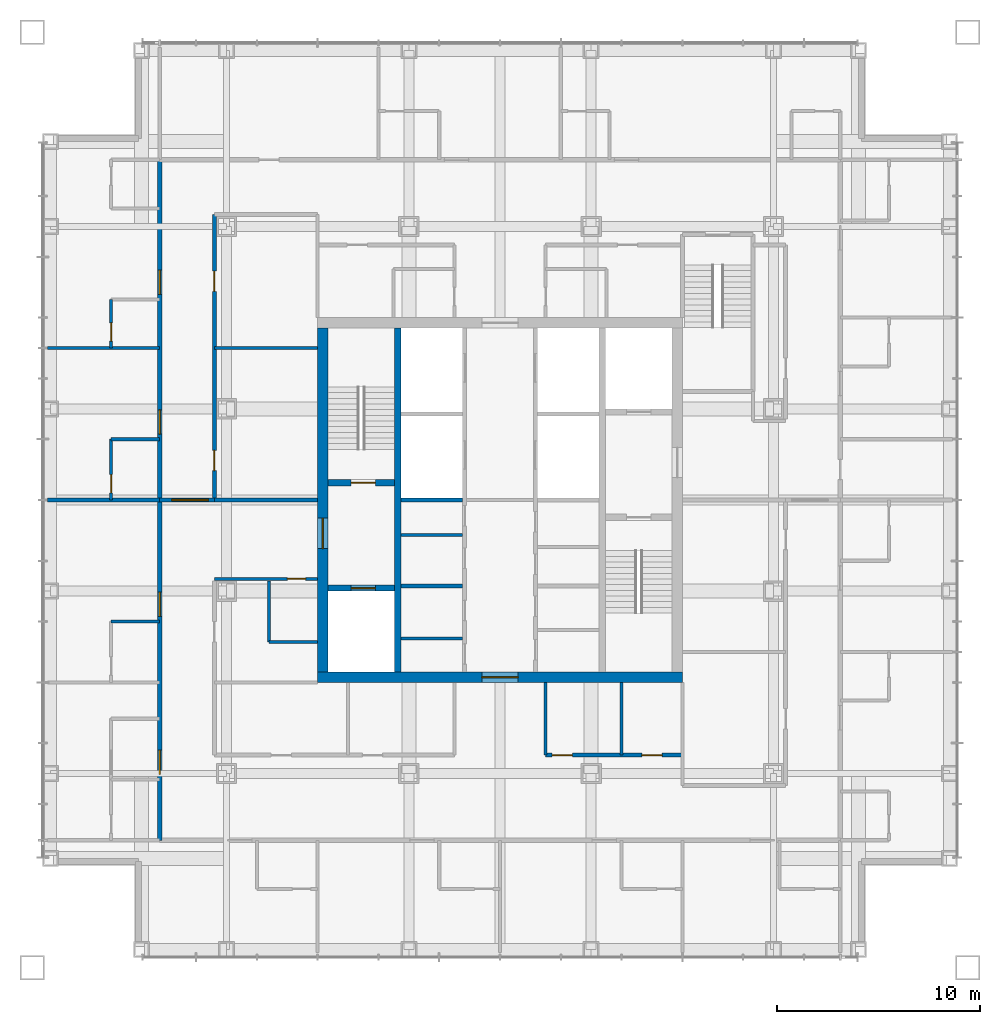
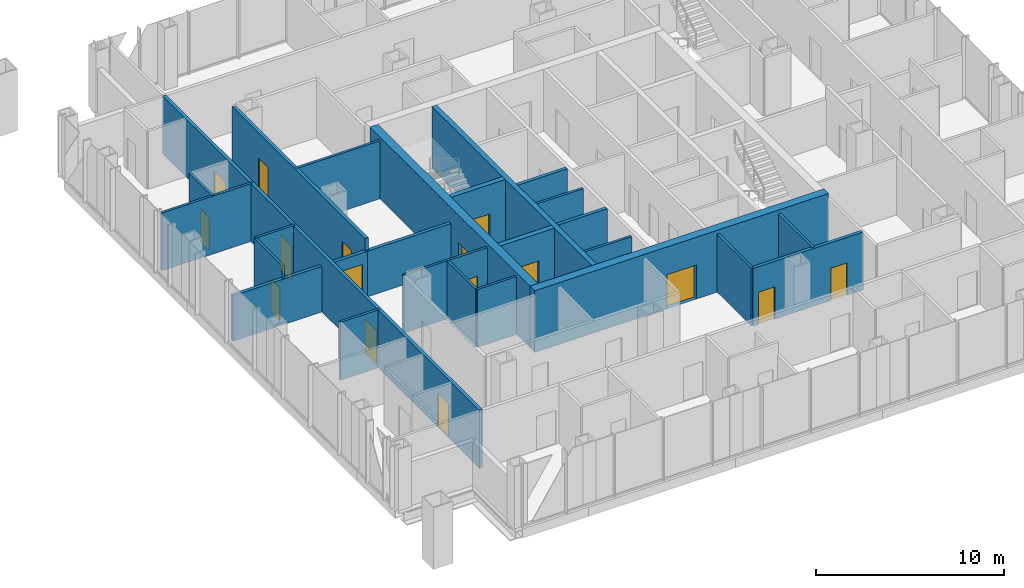
# One storey, part 7 of 15: 26 walls, 16 doors, 16 openings.
"""IFC4 building model written with IfcOpenShell, lengths in metres."""

from ifc_helpers import new_model, si_unit, direction, frame, frame_2d, origin, place, context, subcontext, project, spatial, rectangle, extrude, material, layer, layer_set, type_object, element, fill, save


model = new_model("IFC4")

# Units and contexts
model_context = context("Model", 3, precision=1e-05, world=origin(), true_north=direction((0.0, 1.0)))
body_context = subcontext(model_context, "Body", "Model", "MODEL_VIEW")
ifc_project = project(units=[si_unit("LENGTHUNIT", "METRE"), si_unit("AREAUNIT", "SQUARE_METRE"), si_unit("VOLUMEUNIT", "CUBIC_METRE"), si_unit("PLANEANGLEUNIT", "RADIAN"), si_unit("MASSUNIT", "GRAM", prefix="KILO")], contexts=[model_context])

# Site, building, storey
site_placement = place(None, origin())
site = spatial("IfcSite", under=ifc_project, at=site_placement, CompositionType="ELEMENT")
building_placement = place(site_placement, origin())
building = spatial("IfcBuilding", under=site, at=building_placement, Name="Malebo Sky Hospital", CompositionType="ELEMENT")
storey_placement = place(building_placement, frame((0.0, 0.0, 217.0)))
storey = spatial("IfcBuildingStorey", under=building, at=storey_placement, Name="L52", CompositionType="ELEMENT", Elevation=217.0)

# Walls
ifc_material_1 = material(Name="Concrete C80/95", Category="concrete")
ifc_layer_1 = layer(ifc_material_1, 0.199951171875)
ifc_layer_set_1 = layer_set([ifc_layer_1], Name="CORE INNER WALL 200")
wall_type_1 = type_object("IfcWallType", Name="CORE INNER WALL 200", PredefinedType="SHEAR", material=ifc_layer_set_1)
for number, where, z_axis, x_axis, name in (
    (1, (55.10009765625, 57.75, 0.0), (0.0, 0.0, 1.0), (1.0, 0.0, 0.0), "Core wall SW0 L52"),
    (2, (55.10009765625, 62.0, 0.0), (0.0, 0.0, 1.0), (1.0, 0.0, 0.0), "Core wall SW1 L52"),
):
    element("IfcWall", number, at=place(storey_placement, frame(where, z_axis=z_axis, x_axis=x_axis)), inside=storey, type_object=wall_type_1, Name=name, PredefinedType="SHEAR", context=body_context, shape_type="SweptSolid", body=[
        extrude(rectangle(XDim=3.0498046875, YDim=0.199951171875, at=frame_2d((1.52490234375, 0.0))), origin(), (0.0, 0.0, 1.0), 4.0),
    ])
ifc_layer_2 = layer(ifc_material_1, 0.300048828125)
ifc_layer_set_2 = layer_set([ifc_layer_2], Name="CORE INNER WALL 300")
wall_type_2 = type_object("IfcWallType", Name="CORE INNER WALL 300", PredefinedType="SHEAR", material=ifc_layer_set_2)
wall_1_placement = place(storey_placement, frame((54.949951171875, 53.5, 0.0), z_axis=(0.0, 0.0, 1.0), x_axis=(0.0, 1.0, 0.0)))
element("IfcWall", 3, at=wall_1_placement, inside=storey, type_object=wall_type_2, Name="Core wall XW L52", PredefinedType="SHEAR", context=body_context, shape_type="SweptSolid", body=[
    extrude(rectangle(XDim=17.0, YDim=0.300048828125, at=frame_2d((8.5, 0.0))), origin(), (0.0, 0.0, 1.0), 4.0),
])

# Wall, opening, door
wall_2_placement = place(storey_placement, frame((51.5, 62.85009765625, 0.0), z_axis=(0.0, 0.0, 1.0), x_axis=(1.0, 0.0, 0.0)))
wall_2 = element("IfcWall", 4, at=wall_2_placement, inside=storey, type_object=wall_type_2, Name="Core wall W1 L52", PredefinedType="SHEAR", context=body_context, shape_type="SweptSolid", body=[
    extrude(rectangle(XDim=3.300048828125, YDim=0.300048828125, at=frame_2d((1.64990234375, 0.0))), origin(), (0.0, 0.0, 1.0), 4.0),
])
opening_1_placement = place(wall_2_placement, frame((1.14990234375, 0.0, 0.0)))
opening_1 = element("IfcOpeningElement", 5, at=opening_1_placement, cuts=wall_2, Name="Opening D08", PredefinedType="OPENING", context=body_context, shape_type="SweptSolid", body=[
    extrude(rectangle(XDim=1.199951171875, YDim=2.10009765625, at=frame_2d((0.60009765625, 1.050048828125))), frame((0.0, 0.159912109375, 0.0), z_axis=(0.0, -1.0, 0.0), x_axis=(1.0, 0.0, 0.0)), (0.0, 0.0, 1.0), 0.320068359375),
])
ifc_material_2 = material(Name="Hardwood-faced door leaf in steel frame", Category="steel")
door_type_1 = type_object("IfcDoorType", Name="STAIR DOOR 1200", OperationType="SINGLE_SWING_LEFT", PredefinedType="DOOR", material=ifc_material_2)
door_1_placement = place(opening_1_placement, origin())
door_1 = element("IfcDoor", 6, at=door_1_placement, inside=storey, type_object=door_type_1, Name="Stair S1 door", OperationType="SINGLE_SWING_RIGHT", OverallHeight=2.10009765625, OverallWidth=1.199951171875, PredefinedType="DOOR", context=body_context, shape_type="SweptSolid", body=[
    extrude(rectangle(XDim=1.199951171875, YDim=2.10009765625, at=frame_2d((0.60009765625, 1.050048828125))), frame((0.0, 0.02490234375, 0.0), z_axis=(0.0, -1.0, 0.0), x_axis=(1.0, 0.0, 0.0)), (0.0, 0.0, 1.0), 0.050048828125),
])
fill(opening_1, door_1)

wall_3_placement = place(storey_placement, frame((51.5, 57.64990234375, 0.0), z_axis=(0.0, 0.0, 1.0), x_axis=(1.0, 0.0, 0.0)))
wall_3 = element("IfcWall", 7, at=wall_3_placement, inside=storey, type_object=wall_type_2, Name="Core wall W2 L52", PredefinedType="SHEAR", context=body_context, shape_type="SweptSolid", body=[
    extrude(rectangle(XDim=3.300048828125, YDim=0.300048828125, at=frame_2d((1.64990234375, 0.0))), origin(), (0.0, 0.0, 1.0), 4.0),
])
opening_2_placement = place(wall_3_placement, frame((1.14990234375, 0.0, 0.0)))
opening_2 = element("IfcOpeningElement", 8, at=opening_2_placement, cuts=wall_3, Name="Opening LD2", PredefinedType="OPENING", context=body_context, shape_type="SweptSolid", body=[
    extrude(rectangle(XDim=1.199951171875, YDim=2.199951171875, at=frame_2d((0.60009765625, 1.10009765625))), frame((0.0, 0.159912109375, 0.0), z_axis=(0.0, -1.0, 0.0), x_axis=(1.0, 0.0, 0.0)), (0.0, 0.0, 1.0), 0.320068359375),
])
ifc_material_3 = material(Name="Stainless steel sliding landing door", Category="steel")
door_type_2 = type_object("IfcDoorType", Name="FIRE-FIGHTING LIFT LANDING DOOR 1200", OperationType="SLIDING_TO_LEFT", PredefinedType="DOOR", material=ifc_material_3)
door_2_placement = place(opening_2_placement, origin())
door_2 = element("IfcDoor", 9, at=door_2_placement, inside=storey, type_object=door_type_2, Name="Lift FL1 landing door", OperationType="SLIDING_TO_LEFT", OverallHeight=2.199951171875, OverallWidth=1.199951171875, PredefinedType="DOOR", context=body_context, shape_type="SweptSolid", body=[
    extrude(rectangle(XDim=1.199951171875, YDim=2.199951171875, at=frame_2d((0.60009765625, 1.10009765625))), frame((0.0, 0.02490234375, 0.0), z_axis=(0.0, -1.0, 0.0), x_axis=(1.0, 0.0, 0.0)), (0.0, 0.0, 1.0), 0.050048828125),
])
fill(opening_2, door_2)

ifc_layer_3 = layer(ifc_material_1, 0.5)
ifc_layer_set_3 = layer_set([ifc_layer_3], Name="CORE WALL 500")
wall_type_3 = type_object("IfcWallType", Name="CORE WALL 500", PredefinedType="SHEAR", material=ifc_layer_set_3)
wall_4_placement = place(storey_placement, frame((51.0, 53.25, 0.0), z_axis=(0.0, 0.0, 1.0), x_axis=(1.0, 0.0, 0.0)))
wall_4 = element("IfcWall", 10, at=wall_4_placement, inside=storey, type_object=wall_type_3, Name="Core wall S L52", PredefinedType="SHEAR", context=body_context, shape_type="SweptSolid", body=[
    extrude(rectangle(XDim=18.0, YDim=0.5, at=frame_2d((9.0, 0.0))), origin(), (0.0, 0.0, 1.0), 4.0),
])
opening_3_placement = place(wall_4_placement, frame((8.10009765625, 0.0, 0.0)))
opening_3 = element("IfcOpeningElement", 11, at=opening_3_placement, cuts=wall_4, Name="Opening D06", PredefinedType="OPENING", context=body_context, shape_type="SweptSolid", body=[
    extrude(rectangle(XDim=1.800048828125, YDim=2.199951171875, at=frame_2d((0.89990234375, 1.10009765625))), frame((0.0, 0.260009765625, 0.0), z_axis=(0.0, -1.0, 0.0), x_axis=(1.0, 0.0, 0.0)), (0.0, 0.0, 1.0), 0.52001953125),
])
door_type_3 = type_object("IfcDoorType", Name="LOBBY DOOR PAIR 1800", OperationType="DOUBLE_DOOR_SINGLE_SWING", PredefinedType="DOOR", material=ifc_material_2)
door_3_placement = place(opening_3_placement, origin())
door_3 = element("IfcDoor", 12, at=door_3_placement, inside=storey, type_object=door_type_3, Name="Service lobby door south", OperationType="DOUBLE_DOOR_SINGLE_SWING", OverallHeight=2.199951171875, OverallWidth=1.800048828125, PredefinedType="DOOR", context=body_context, shape_type="SweptSolid", body=[
    extrude(rectangle(XDim=1.800048828125, YDim=2.199951171875, at=frame_2d((0.89990234375, 1.10009765625))), frame((0.0, 0.02490234375, 0.0), z_axis=(0.0, -1.0, 0.0), x_axis=(1.0, 0.0, 0.0)), (0.0, 0.0, 1.0), 0.050048828125),
])
fill(opening_3, door_3)

wall_5_placement = place(storey_placement, frame((51.25, 53.5, 0.0), z_axis=(0.0, 0.0, 1.0), x_axis=(0.0, 1.0, 0.0)))
wall_5 = element("IfcWall", 13, at=wall_5_placement, inside=storey, type_object=wall_type_3, Name="Core wall W L52", PredefinedType="SHEAR", context=body_context, shape_type="SweptSolid", body=[
    extrude(rectangle(XDim=17.0, YDim=0.5, at=frame_2d((8.5, 0.0))), origin(), (0.0, 0.0, 1.0), 4.0),
])
opening_4_placement = place(wall_5_placement, frame((6.10009765625, 0.0, 0.0)))
opening_4 = element("IfcOpeningElement", 14, at=opening_4_placement, cuts=wall_5, Name="Opening D07", PredefinedType="OPENING", context=body_context, shape_type="SweptSolid", body=[
    extrude(rectangle(XDim=1.5, YDim=2.199951171875, at=frame_2d((0.75, 1.10009765625))), frame((0.0, 0.260009765625, 0.0), z_axis=(0.0, -1.0, 0.0), x_axis=(1.0, 0.0, 0.0)), (0.0, 0.0, 1.0), 0.52001953125),
])
door_type_4 = type_object("IfcDoorType", Name="FIRE-FIGHTING LOBBY DOOR PAIR 1500", OperationType="DOUBLE_DOOR_SINGLE_SWING", PredefinedType="DOOR", material=ifc_material_2)
door_4_placement = place(opening_4_placement, origin())
door_4 = element("IfcDoor", 15, at=door_4_placement, inside=storey, type_object=door_type_4, Name="Fire-fighting lobby door west", OperationType="DOUBLE_DOOR_SINGLE_SWING", OverallHeight=2.199951171875, OverallWidth=1.5, PredefinedType="DOOR", context=body_context, shape_type="SweptSolid", body=[
    extrude(rectangle(XDim=1.5, YDim=2.199951171875, at=frame_2d((0.75, 1.10009765625))), frame((0.0, 0.02490234375, 0.0), z_axis=(0.0, -1.0, 0.0), x_axis=(1.0, 0.0, 0.0)), (0.0, 0.0, 1.0), 0.050048828125),
])
fill(opening_4, door_4)

# Wall, openings, doors
ifc_material_4 = material(Name="Gypsum board on steel studs", Category="steel")
ifc_layer_4 = layer(ifc_material_4, 0.199951171875)
ifc_layer_set_4 = layer_set([ifc_layer_4], Name="CORRIDOR WALL 200")
wall_type_4 = type_object("IfcWallType", Name="CORRIDOR WALL 200", PredefinedType="PARTITIONING", material=ifc_layer_set_4)
wall_6_placement = place(storey_placement, frame((43.199951171875, 45.199951171875, 0.0), z_axis=(0.0, 0.0, 1.0), x_axis=(0.0, 1.0, 0.0)))
wall_6 = element("IfcWall", 16, at=wall_6_placement, inside=storey, type_object=wall_type_4, Name="Corridor Wall 200 WCO", PredefinedType="PARTITIONING", context=body_context, shape_type="SweptSolid", body=[
    extrude(rectangle(XDim=33.60009765625, YDim=0.199951171875, at=frame_2d((16.800048828125, 0.0))), origin(), (0.0, 0.0, 1.0), 3.75),
])
opening_5_placement = place(wall_6_placement, frame((3.25, 0.0, 0.0)))
opening_5 = element("IfcOpeningElement", 17, at=opening_5_placement, cuts=wall_6, Name="Opening D18", PredefinedType="OPENING", context=body_context, shape_type="SweptSolid", body=[
    extrude(rectangle(XDim=1.199951171875, YDim=2.199951171875, at=frame_2d((0.60009765625, 1.10009765625))), frame((0.0, 0.10986328125, 0.0), z_axis=(0.0, -1.0, 0.0), x_axis=(1.0, 0.0, 0.0)), (0.0, 0.0, 1.0), 0.219970703125),
])
opening_6_placement = place(wall_6_placement, frame((11.050048828125, 0.0, 0.0)))
opening_6 = element("IfcOpeningElement", 18, at=opening_6_placement, cuts=wall_6, Name="Opening D01", PredefinedType="OPENING", context=body_context, shape_type="SweptSolid", body=[
    extrude(rectangle(XDim=1.199951171875, YDim=2.199951171875, at=frame_2d((0.60009765625, 1.10009765625))), frame((0.0, 0.10986328125, 0.0), z_axis=(0.0, -1.0, 0.0), x_axis=(1.0, 0.0, 0.0)), (0.0, 0.0, 1.0), 0.219970703125),
])
opening_7_placement = place(wall_6_placement, frame((20.050048828125, 0.0, 0.0)))
opening_7 = element("IfcOpeningElement", 19, at=opening_7_placement, cuts=wall_6, Name="Opening D01", PredefinedType="OPENING", context=body_context, shape_type="SweptSolid", body=[
    extrude(rectangle(XDim=1.199951171875, YDim=2.199951171875, at=frame_2d((0.60009765625, 1.10009765625))), frame((0.0, 0.10986328125, 0.0), z_axis=(0.0, -1.0, 0.0), x_axis=(1.0, 0.0, 0.0)), (0.0, 0.0, 1.0), 0.219970703125),
])
opening_8_placement = place(wall_6_placement, frame((26.949951171875, 0.0, 0.0)))
opening_8 = element("IfcOpeningElement", 20, at=opening_8_placement, cuts=wall_6, Name="Opening D01", PredefinedType="OPENING", context=body_context, shape_type="SweptSolid", body=[
    extrude(rectangle(XDim=1.199951171875, YDim=2.199951171875, at=frame_2d((0.60009765625, 1.10009765625))), frame((0.0, 0.10986328125, 0.0), z_axis=(0.0, -1.0, 0.0), x_axis=(1.0, 0.0, 0.0)), (0.0, 0.0, 1.0), 0.219970703125),
])
door_type_5 = type_object("IfcDoorType", Name="ANTEROOM DOOR 1200", OperationType="SINGLE_SWING_LEFT", PredefinedType="DOOR", material=ifc_material_2)
door_5_placement = place(opening_5_placement, origin())
door_5 = element("IfcDoor", 21, at=door_5_placement, inside=storey, type_object=door_type_5, Name="Anteroom door", OperationType="SINGLE_SWING_LEFT", OverallHeight=2.199951171875, OverallWidth=1.199951171875, PredefinedType="DOOR", context=body_context, shape_type="SweptSolid", body=[
    extrude(rectangle(XDim=1.199951171875, YDim=2.199951171875, at=frame_2d((0.60009765625, 1.10009765625))), frame((0.0, 0.02490234375, 0.0), z_axis=(0.0, -1.0, 0.0), x_axis=(1.0, 0.0, 0.0)), (0.0, 0.0, 1.0), 0.050048828125),
])
fill(opening_5, door_5)
door_type_6 = type_object("IfcDoorType", Name="BED DOOR 1200", OperationType="SINGLE_SWING_LEFT", PredefinedType="DOOR", material=ifc_material_2)
door_6_placement = place(opening_6_placement, origin())
door_6 = element("IfcDoor", 22, at=door_6_placement, inside=storey, type_object=door_type_6, Name="Two-bed room door", OperationType="SINGLE_SWING_LEFT", OverallHeight=2.199951171875, OverallWidth=1.199951171875, PredefinedType="DOOR", context=body_context, shape_type="SweptSolid", body=[
    extrude(rectangle(XDim=1.199951171875, YDim=2.199951171875, at=frame_2d((0.60009765625, 1.10009765625))), frame((0.0, 0.02490234375, 0.0), z_axis=(0.0, -1.0, 0.0), x_axis=(1.0, 0.0, 0.0)), (0.0, 0.0, 1.0), 0.050048828125),
])
fill(opening_6, door_6)
door_7_placement = place(opening_7_placement, origin())
door_7 = element("IfcDoor", 23, at=door_7_placement, inside=storey, type_object=door_type_6, Name="Two-bed room door", OperationType="SINGLE_SWING_LEFT", OverallHeight=2.199951171875, OverallWidth=1.199951171875, PredefinedType="DOOR", context=body_context, shape_type="SweptSolid", body=[
    extrude(rectangle(XDim=1.199951171875, YDim=2.199951171875, at=frame_2d((0.60009765625, 1.10009765625))), frame((0.0, 0.02490234375, 0.0), z_axis=(0.0, -1.0, 0.0), x_axis=(1.0, 0.0, 0.0)), (0.0, 0.0, 1.0), 0.050048828125),
])
fill(opening_7, door_7)
door_8_placement = place(opening_8_placement, origin())
door_8 = element("IfcDoor", 24, at=door_8_placement, inside=storey, type_object=door_type_6, Name="Four-bed bay door", OperationType="SINGLE_SWING_LEFT", OverallHeight=2.199951171875, OverallWidth=1.199951171875, PredefinedType="DOOR", context=body_context, shape_type="SweptSolid", body=[
    extrude(rectangle(XDim=1.199951171875, YDim=2.199951171875, at=frame_2d((0.60009765625, 1.10009765625))), frame((0.0, 0.02490234375, 0.0), z_axis=(0.0, -1.0, 0.0), x_axis=(1.0, 0.0, 0.0)), (0.0, 0.0, 1.0), 0.050048828125),
])
fill(opening_8, door_8)

wall_7_placement = place(storey_placement, frame((45.89990234375, 62.0, 0.0), z_axis=(0.0, 0.0, 1.0), x_axis=(0.0, 1.0, 0.0)))
wall_7 = element("IfcWall", 25, at=wall_7_placement, inside=storey, type_object=wall_type_4, Name="Corridor Wall 200 WCI2", PredefinedType="PARTITIONING", context=body_context, shape_type="SweptSolid", body=[
    extrude(rectangle(XDim=14.10009765625, YDim=0.199951171875, at=frame_2d((7.050048828125, 0.0))), origin(), (0.0, 0.0, 1.0), 3.75),
])
opening_9_placement = place(wall_7_placement, frame((1.449951171875, 0.0, 0.0)))
opening_9 = element("IfcOpeningElement", 26, at=opening_9_placement, cuts=wall_7, Name="Opening D03", PredefinedType="OPENING", context=body_context, shape_type="SweptSolid", body=[
    extrude(rectangle(XDim=1.0, YDim=2.10009765625, at=frame_2d((0.5, 1.050048828125))), frame((0.0, 0.10986328125, 0.0), z_axis=(0.0, -1.0, 0.0), x_axis=(1.0, 0.0, 0.0)), (0.0, 0.0, 1.0), 0.219970703125),
])
opening_10_placement = place(wall_7_placement, frame((10.300048828125, 0.0, 0.0)))
opening_10 = element("IfcOpeningElement", 27, at=opening_10_placement, cuts=wall_7, Name="Opening D03", PredefinedType="OPENING", context=body_context, shape_type="SweptSolid", body=[
    extrude(rectangle(XDim=1.0, YDim=2.10009765625, at=frame_2d((0.5, 1.050048828125))), frame((0.0, 0.10986328125, 0.0), z_axis=(0.0, -1.0, 0.0), x_axis=(1.0, 0.0, 0.0)), (0.0, 0.0, 1.0), 0.219970703125),
])
door_type_7 = type_object("IfcDoorType", Name="ROOM DOOR 1000", OperationType="SINGLE_SWING_LEFT", PredefinedType="DOOR", material=ifc_material_2)
door_9_placement = place(opening_9_placement, origin())
door_9 = element("IfcDoor", 28, at=door_9_placement, inside=storey, type_object=door_type_7, Name="Nurse station door", OperationType="SINGLE_SWING_LEFT", OverallHeight=2.10009765625, OverallWidth=1.0, PredefinedType="DOOR", context=body_context, shape_type="SweptSolid", body=[
    extrude(rectangle(XDim=1.0, YDim=2.10009765625, at=frame_2d((0.5, 1.050048828125))), frame((0.0, 0.02490234375, 0.0), z_axis=(0.0, -1.0, 0.0), x_axis=(1.0, 0.0, 0.0)), (0.0, 0.0, 1.0), 0.050048828125),
])
fill(opening_9, door_9)
door_10_placement = place(opening_10_placement, origin())
door_10 = element("IfcDoor", 29, at=door_10_placement, inside=storey, type_object=door_type_7, Name="Milk kitchen door", OperationType="SINGLE_SWING_RIGHT", OverallHeight=2.10009765625, OverallWidth=1.0, PredefinedType="DOOR", context=body_context, shape_type="SweptSolid", body=[
    extrude(rectangle(XDim=1.0, YDim=2.10009765625, at=frame_2d((0.5, 1.050048828125))), frame((0.0, 0.02490234375, 0.0), z_axis=(0.0, -1.0, 0.0), x_axis=(1.0, 0.0, 0.0)), (0.0, 0.0, 1.0), 0.050048828125),
])
fill(opening_10, door_10)

wall_8_placement = place(storey_placement, frame((69.0, 49.39990234375, 0.0), z_axis=(0.0, 0.0, 1.0), x_axis=(-1.0, 0.0, 0.0)))
wall_8 = element("IfcWall", 30, at=wall_8_placement, inside=storey, type_object=wall_type_4, Name="Corridor Wall 200 SCI1", PredefinedType="PARTITIONING", context=body_context, shape_type="SweptSolid", body=[
    extrude(rectangle(XDim=6.75, YDim=0.199951171875, at=frame_2d((3.375, 0.0))), origin(), (0.0, 0.0, 1.0), 3.75),
])
opening_11_placement = place(wall_8_placement, frame((1.0, 0.0, 0.0)))
opening_11 = element("IfcOpeningElement", 31, at=opening_11_placement, cuts=wall_8, Name="Opening D03", PredefinedType="OPENING", context=body_context, shape_type="SweptSolid", body=[
    extrude(rectangle(XDim=1.0, YDim=2.10009765625, at=frame_2d((0.5, 1.050048828125))), frame((0.0, 0.10986328125, 0.0), z_axis=(0.0, -1.0, 0.0), x_axis=(1.0, 0.0, 0.0)), (0.0, 0.0, 1.0), 0.219970703125),
])
opening_12_placement = place(wall_8_placement, frame((5.425048828125, 0.0, 0.0)))
opening_12 = element("IfcOpeningElement", 32, at=opening_12_placement, cuts=wall_8, Name="Opening D03", PredefinedType="OPENING", context=body_context, shape_type="SweptSolid", body=[
    extrude(rectangle(XDim=1.0, YDim=2.10009765625, at=frame_2d((0.5, 1.050048828125))), frame((0.0, 0.10986328125, 0.0), z_axis=(0.0, -1.0, 0.0), x_axis=(1.0, 0.0, 0.0)), (0.0, 0.0, 1.0), 0.219970703125),
])
door_11_placement = place(opening_11_placement, origin())
door_11 = element("IfcDoor", 33, at=door_11_placement, inside=storey, type_object=door_type_7, Name="Linen store door", OperationType="SINGLE_SWING_LEFT", OverallHeight=2.10009765625, OverallWidth=1.0, PredefinedType="DOOR", context=body_context, shape_type="SweptSolid", body=[
    extrude(rectangle(XDim=1.0, YDim=2.10009765625, at=frame_2d((0.5, 1.050048828125))), frame((0.0, 0.02490234375, 0.0), z_axis=(0.0, -1.0, 0.0), x_axis=(1.0, 0.0, 0.0)), (0.0, 0.0, 1.0), 0.050048828125),
])
fill(opening_11, door_11)
door_12_placement = place(opening_12_placement, origin())
door_12 = element("IfcDoor", 34, at=door_12_placement, inside=storey, type_object=door_type_7, Name="Equipment store door", OperationType="SINGLE_SWING_RIGHT", OverallHeight=2.10009765625, OverallWidth=1.0, PredefinedType="DOOR", context=body_context, shape_type="SweptSolid", body=[
    extrude(rectangle(XDim=1.0, YDim=2.10009765625, at=frame_2d((0.5, 1.050048828125))), frame((0.0, 0.02490234375, 0.0), z_axis=(0.0, -1.0, 0.0), x_axis=(1.0, 0.0, 0.0)), (0.0, 0.0, 1.0), 0.050048828125),
])
fill(opening_12, door_12)

# Walls
ifc_layer_5 = layer(ifc_material_4, 0.14990234375)
ifc_layer_set_5 = layer_set([ifc_layer_5], Name="PARTITION 150")
wall_type_5 = type_object("IfcWallType", Name="PARTITION 150", PredefinedType="PARTITIONING", material=ifc_layer_set_5)
wall_9_placement = place(storey_placement, frame((43.199951171875, 69.5, 0.0), z_axis=(0.0, 0.0, 1.0), x_axis=(-1.0, 0.0, 0.0)))
element("IfcWall", 35, at=wall_9_placement, inside=storey, type_object=wall_type_5, Name="Partition 150 WP+7.5", PredefinedType="PARTITIONING", context=body_context, shape_type="SweptSolid", body=[
    extrude(rectangle(XDim=5.550048828125, YDim=0.14990234375, at=frame_2d((2.77490234375, 0.0))), origin(), (0.0, 0.0, 1.0), 3.75),
])
wall_10_placement = place(storey_placement, frame((43.199951171875, 56.0, 0.0), z_axis=(0.0, 0.0, 1.0), x_axis=(-1.0, 0.0, 0.0)))
element("IfcWall", 36, at=wall_10_placement, inside=storey, type_object=wall_type_5, Name="Partition 150 WE1S", PredefinedType="PARTITIONING", context=body_context, shape_type="SweptSolid", body=[
    extrude(rectangle(XDim=2.39990234375, YDim=0.14990234375, at=frame_2d((1.199951171875, 0.0))), origin(), (0.0, 0.0, 1.0), 3.75),
])

# Wall, opening, door
wall_11_placement = place(storey_placement, frame((40.800048828125, 62.0, 0.0), z_axis=(0.0, 0.0, 1.0), x_axis=(0.0, 1.0, 0.0)))
wall_11 = element("IfcWall", 37, at=wall_11_placement, inside=storey, type_object=wall_type_5, Name="Partition 150 WE2F", PredefinedType="PARTITIONING", context=body_context, shape_type="SweptSolid", body=[
    extrude(rectangle(XDim=3.0, YDim=0.14990234375, at=frame_2d((1.5, 0.0))), origin(), (0.0, 0.0, 1.0), 3.75),
])
opening_13_placement = place(wall_11_placement, frame((0.35009765625, 0.0, 0.0)))
opening_13 = element("IfcOpeningElement", 38, at=opening_13_placement, cuts=wall_11, Name="Opening D02", PredefinedType="OPENING", context=body_context, shape_type="SweptSolid", body=[
    extrude(rectangle(XDim=0.89990234375, YDim=2.10009765625, at=frame_2d((0.449951171875, 1.050048828125))), frame((0.0, 0.0849609375, 0.0), z_axis=(0.0, -1.0, 0.0), x_axis=(1.0, 0.0, 0.0)), (0.0, 0.0, 1.0), 0.169921875),
])
door_type_8 = type_object("IfcDoorType", Name="EN-SUITE DOOR 900", OperationType="SINGLE_SWING_LEFT", PredefinedType="DOOR", material=ifc_material_2)
door_13_placement = place(opening_13_placement, origin())
door_13 = element("IfcDoor", 39, at=door_13_placement, inside=storey, type_object=door_type_8, Name="En-suite door", OperationType="SINGLE_SWING_LEFT", OverallHeight=2.10009765625, OverallWidth=0.89990234375, PredefinedType="DOOR", context=body_context, shape_type="SweptSolid", body=[
    extrude(rectangle(XDim=0.89990234375, YDim=2.10009765625, at=frame_2d((0.449951171875, 1.050048828125))), frame((0.0, 0.02490234375, 0.0), z_axis=(0.0, -1.0, 0.0), x_axis=(1.0, 0.0, 0.0)), (0.0, 0.0, 1.0), 0.050048828125),
])
fill(opening_13, door_13)

# Wall
wall_12_placement = place(storey_placement, frame((43.199951171875, 65.0, 0.0), z_axis=(0.0, 0.0, 1.0), x_axis=(-1.0, 0.0, 0.0)))
element("IfcWall", 40, at=wall_12_placement, inside=storey, type_object=wall_type_5, Name="Partition 150 WE2S", PredefinedType="PARTITIONING", context=body_context, shape_type="SweptSolid", body=[
    extrude(rectangle(XDim=2.39990234375, YDim=0.14990234375, at=frame_2d((1.199951171875, 0.0))), origin(), (0.0, 0.0, 1.0), 3.75),
])

# Wall, opening, door
wall_13_placement = place(storey_placement, frame((40.800048828125, 69.5, 0.0), z_axis=(0.0, 0.0, 1.0), x_axis=(0.0, 1.0, 0.0)))
wall_13 = element("IfcWall", 41, at=wall_13_placement, inside=storey, type_object=wall_type_5, Name="Partition 150 WE3F", PredefinedType="PARTITIONING", context=body_context, shape_type="SweptSolid", body=[
    extrude(rectangle(XDim=2.39990234375, YDim=0.14990234375, at=frame_2d((1.199951171875, 0.0))), origin(), (0.0, 0.0, 1.0), 3.75),
])
opening_14_placement = place(wall_13_placement, frame((0.35009765625, 0.0, 0.0)))
opening_14 = element("IfcOpeningElement", 42, at=opening_14_placement, cuts=wall_13, Name="Opening D02", PredefinedType="OPENING", context=body_context, shape_type="SweptSolid", body=[
    extrude(rectangle(XDim=0.89990234375, YDim=2.10009765625, at=frame_2d((0.449951171875, 1.050048828125))), frame((0.0, 0.0849609375, 0.0), z_axis=(0.0, -1.0, 0.0), x_axis=(1.0, 0.0, 0.0)), (0.0, 0.0, 1.0), 0.169921875),
])
door_14_placement = place(opening_14_placement, origin())
door_14 = element("IfcDoor", 43, at=door_14_placement, inside=storey, type_object=door_type_8, Name="En-suite door", OperationType="SINGLE_SWING_LEFT", OverallHeight=2.10009765625, OverallWidth=0.89990234375, PredefinedType="DOOR", context=body_context, shape_type="SweptSolid", body=[
    extrude(rectangle(XDim=0.89990234375, YDim=2.10009765625, at=frame_2d((0.449951171875, 1.050048828125))), frame((0.0, 0.02490234375, 0.0), z_axis=(0.0, -1.0, 0.0), x_axis=(1.0, 0.0, 0.0)), (0.0, 0.0, 1.0), 0.050048828125),
])
fill(opening_14, door_14)

wall_14_placement = place(storey_placement, frame((51.0, 58.10009765625, 0.0), z_axis=(0.0, 0.0, 1.0), x_axis=(-1.0, 0.0, 0.0)))
wall_14 = element("IfcWall", 44, at=wall_14_placement, inside=storey, type_object=wall_type_5, Name="Partition 150 WSPA", PredefinedType="PARTITIONING", context=body_context, shape_type="SweptSolid", body=[
    extrude(rectangle(XDim=5.10009765625, YDim=0.14990234375, at=frame_2d((2.550048828125, 0.0))), origin(), (0.0, 0.0, 1.0), 3.75),
])
opening_15_placement = place(wall_14_placement, frame((0.60009765625, 0.0, 0.0)))
opening_15 = element("IfcOpeningElement", 45, at=opening_15_placement, cuts=wall_14, Name="Opening D04", PredefinedType="OPENING", context=body_context, shape_type="SweptSolid", body=[
    extrude(rectangle(XDim=0.89990234375, YDim=2.10009765625, at=frame_2d((0.449951171875, 1.050048828125))), frame((0.0, 0.0849609375, 0.0), z_axis=(0.0, -1.0, 0.0), x_axis=(1.0, 0.0, 0.0)), (0.0, 0.0, 1.0), 0.169921875),
])
door_type_9 = type_object("IfcDoorType", Name="ROOM DOOR 900", OperationType="SINGLE_SWING_LEFT", PredefinedType="DOOR", material=ifc_material_2)
door_15_placement = place(opening_15_placement, origin())
door_15 = element("IfcDoor", 46, at=door_15_placement, inside=storey, type_object=door_type_9, Name="Cleaner's room door", OperationType="SINGLE_SWING_LEFT", OverallHeight=2.10009765625, OverallWidth=0.89990234375, PredefinedType="DOOR", context=body_context, shape_type="SweptSolid", body=[
    extrude(rectangle(XDim=0.89990234375, YDim=2.10009765625, at=frame_2d((0.449951171875, 1.050048828125))), frame((0.0, 0.02490234375, 0.0), z_axis=(0.0, -1.0, 0.0), x_axis=(1.0, 0.0, 0.0)), (0.0, 0.0, 1.0), 0.050048828125),
])
fill(opening_15, door_15)

# Walls
wall_15_placement = place(storey_placement, frame((51.0, 69.5, 0.0), z_axis=(0.0, 0.0, 1.0), x_axis=(-1.0, 0.0, 0.0)))
element("IfcWall", 47, at=wall_15_placement, inside=storey, type_object=wall_type_5, Name="Partition 150 WSP+7.5", PredefinedType="PARTITIONING", context=body_context, shape_type="SweptSolid", body=[
    extrude(rectangle(XDim=5.10009765625, YDim=0.14990234375, at=frame_2d((2.550048828125, 0.0))), origin(), (0.0, 0.0, 1.0), 3.75),
])
wall_16_placement = place(storey_placement, frame((48.60009765625, 55.0, 0.0), z_axis=(0.0, 0.0, 1.0), x_axis=(0.0, 1.0, 0.0)))
element("IfcWall", 48, at=wall_16_placement, inside=storey, type_object=wall_type_5, Name="Partition 150 WSX0", PredefinedType="PARTITIONING", context=body_context, shape_type="SweptSolid", body=[
    extrude(rectangle(XDim=3.0, YDim=0.14990234375, at=frame_2d((1.5, 0.0))), origin(), (0.0, 0.0, 1.0), 3.75),
])
wall_17_placement = place(storey_placement, frame((51.0, 55.0, 0.0), z_axis=(0.0, 0.0, 1.0), x_axis=(-1.0, 0.0, 0.0)))
element("IfcWall", 49, at=wall_17_placement, inside=storey, type_object=wall_type_5, Name="Partition 150 WSY0", PredefinedType="PARTITIONING", context=body_context, shape_type="SweptSolid", body=[
    extrude(rectangle(XDim=2.39990234375, YDim=0.14990234375, at=frame_2d((1.199951171875, 0.0))), origin(), (0.0, 0.0, 1.0), 3.75),
])
for number, where, z_axis, x_axis, name in (
    (50, (62.25, 53.0, 0.0), (0.0, 0.0, 1.0), (0.0, -1.0, 0.0), "Partition 150 SSPA"),
    (51, (66.0, 53.0, 0.0), (0.0, 0.0, 1.0), (0.0, -1.0, 0.0), "Partition 150 SSP-6.0"),
):
    element("IfcWall", number, at=place(storey_placement, frame(where, z_axis=z_axis, x_axis=x_axis)), inside=storey, type_object=wall_type_5, Name=name, PredefinedType="PARTITIONING", context=body_context, shape_type="SweptSolid", body=[
        extrude(rectangle(XDim=3.60009765625, YDim=0.14990234375, at=frame_2d((1.800048828125, 0.0))), origin(), (0.0, 0.0, 1.0), 3.75),
    ])
for number, where, z_axis, x_axis, name in (
    (52, (55.10009765625, 55.159912109375, 0.0), (0.0, 0.0, 1.0), (1.0, 0.0, 0.0), "Partition 150 SHW1"),
    (53, (55.10009765625, 60.280029296875, 0.0), (0.0, 0.0, 1.0), (1.0, 0.0, 0.0), "Partition 150 SHW2"),
):
    element("IfcWall", number, at=place(storey_placement, frame(where, z_axis=z_axis, x_axis=x_axis)), inside=storey, type_object=wall_type_5, Name=name, PredefinedType="PARTITIONING", context=body_context, shape_type="SweptSolid", body=[
        extrude(rectangle(XDim=3.0498046875, YDim=0.14990234375, at=frame_2d((1.52490234375, 0.0))), origin(), (0.0, 0.0, 1.0), 3.75),
    ])
ifc_material_5 = material(Name="Concrete blockwork", Category="masonry")
ifc_layer_6 = layer(ifc_material_5, 0.199951171875)
ifc_layer_set_6 = layer_set([ifc_layer_6], Name="SMOKE BARRIER WALL 200")
wall_type_6 = type_object("IfcWallType", Name="SMOKE BARRIER WALL 200", PredefinedType="SOLIDWALL", material=ifc_layer_set_6)
wall_18_placement = place(storey_placement, frame((43.199951171875, 62.0, 0.0), z_axis=(0.0, 0.0, 1.0), x_axis=(-1.0, 0.0, 0.0)))
element("IfcWall", 54, at=wall_18_placement, inside=storey, type_object=wall_type_6, Name="Smoke Barrier Wall 200 WP+0.0", PredefinedType="SOLIDWALL", context=body_context, shape_type="SweptSolid", body=[
    extrude(rectangle(XDim=5.550048828125, YDim=0.199951171875, at=frame_2d((2.77490234375, 0.0))), origin(), (0.0, 0.0, 1.0), 2.949951171875),
])
wall_19_placement = place(storey_placement, frame((51.0, 62.0, 0.0), z_axis=(0.0, 0.0, 1.0), x_axis=(-1.0, 0.0, 0.0)))
element("IfcWall", 55, at=wall_19_placement, inside=storey, type_object=wall_type_6, Name="Smoke Barrier Wall 200 WSPB", PredefinedType="SOLIDWALL", context=body_context, shape_type="SweptSolid", body=[
    extrude(rectangle(XDim=5.10009765625, YDim=0.199951171875, at=frame_2d((2.550048828125, 0.0))), origin(), (0.0, 0.0, 1.0), 2.949951171875),
])

# Wall, opening, door
wall_20_placement = place(storey_placement, frame((45.89990234375, 62.0, 0.0), z_axis=(0.0, 0.0, 1.0), x_axis=(-1.0, 0.0, 0.0)))
wall_20 = element("IfcWall", 56, at=wall_20_placement, inside=storey, type_object=wall_type_6, Name="Smoke Barrier Wall 200 WSB", PredefinedType="SOLIDWALL", context=body_context, shape_type="SweptSolid", body=[
    extrude(rectangle(XDim=2.699951171875, YDim=0.199951171875, at=frame_2d((1.35009765625, 0.0))), origin(), (0.0, 0.0, 1.0), 2.949951171875),
])
opening_16_placement = place(wall_20_placement, frame((0.300048828125, 0.0, 0.0)))
opening_16 = element("IfcOpeningElement", 57, at=opening_16_placement, cuts=wall_20, Name="Opening D05", PredefinedType="OPENING", context=body_context, shape_type="SweptSolid", body=[
    extrude(rectangle(XDim=1.800048828125, YDim=2.199951171875, at=frame_2d((0.89990234375, 1.10009765625))), frame((0.0, 0.10986328125, 0.0), z_axis=(0.0, -1.0, 0.0), x_axis=(1.0, 0.0, 0.0)), (0.0, 0.0, 1.0), 0.219970703125),
])
door_type_10 = type_object("IfcDoorType", Name="SMOKE DOOR PAIR 1800", OperationType="DOUBLE_DOOR_DOUBLE_SWING", PredefinedType="DOOR", material=ifc_material_2)
door_16_placement = place(opening_16_placement, origin())
door_16 = element("IfcDoor", 58, at=door_16_placement, inside=storey, type_object=door_type_10, Name="Smoke compartment door pair", OperationType="DOUBLE_DOOR_DOUBLE_SWING", OverallHeight=2.199951171875, OverallWidth=1.800048828125, PredefinedType="DOOR", context=body_context, shape_type="SweptSolid", body=[
    extrude(rectangle(XDim=1.800048828125, YDim=2.199951171875, at=frame_2d((0.89990234375, 1.10009765625))), frame((0.0, 0.02490234375, 0.0), z_axis=(0.0, -1.0, 0.0), x_axis=(1.0, 0.0, 0.0)), (0.0, 0.0, 1.0), 0.050048828125),
])
fill(opening_16, door_16)

save(model, "model.ifc")
